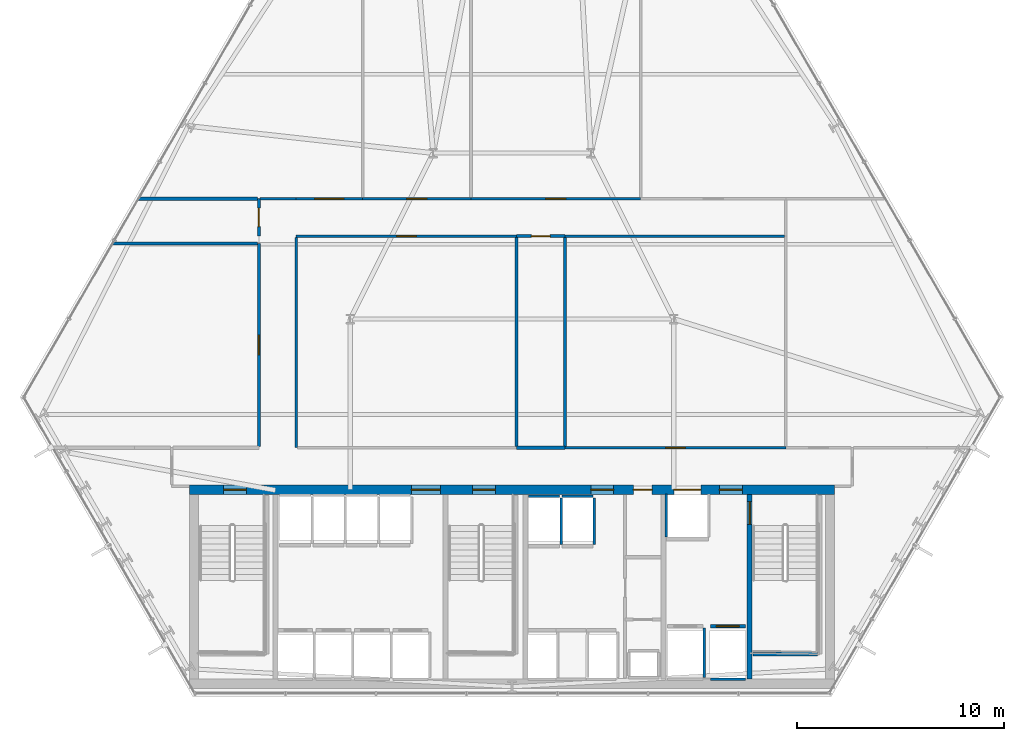
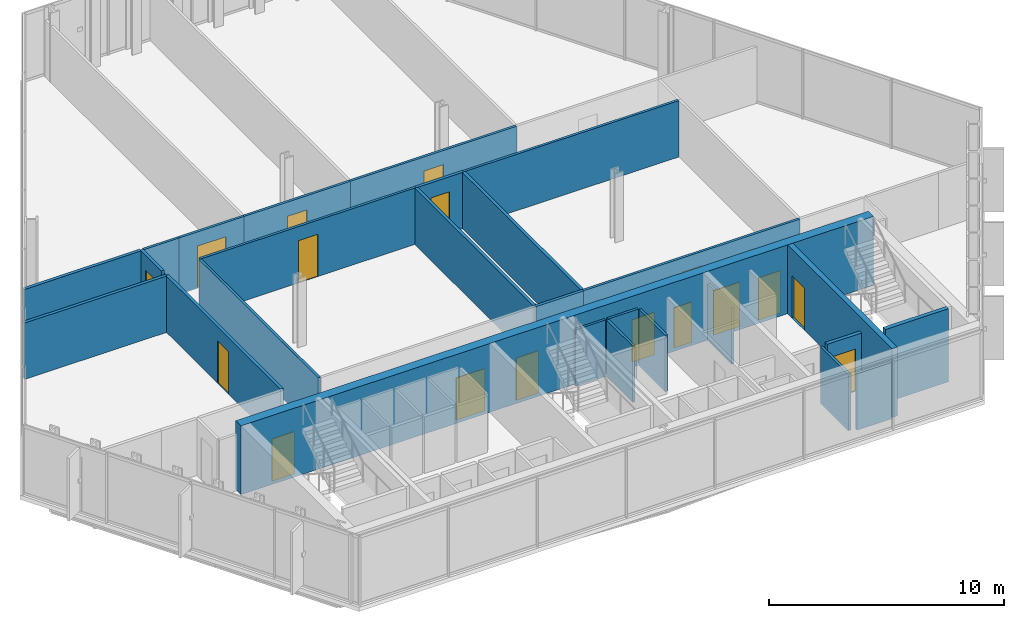
# One storey, part 28 of 33: 27 walls, 17 doors, 17 openings.
"""IFC4 building model written with IfcOpenShell, lengths in metres."""

from ifc_helpers import new_model, si_unit, direction, frame, frame_2d, origin, place, context, subcontext, project, spatial, rectangle, extrude, material, layer, layer_set, type_object, element, fill, save


model = new_model("IFC4")

# Units and contexts
model_context = context("Model", 3, precision=1e-05, world=origin(), true_north=direction((0.0, 1.0)))
body_context = subcontext(model_context, "Body", "Model", "MODEL_VIEW")
ifc_project = project(units=[si_unit("LENGTHUNIT", "METRE"), si_unit("AREAUNIT", "SQUARE_METRE"), si_unit("VOLUMEUNIT", "CUBIC_METRE"), si_unit("PLANEANGLEUNIT", "RADIAN"), si_unit("MASSUNIT", "GRAM", prefix="KILO")], contexts=[model_context])

# Site, building, storey
site_placement = place(None, origin())
site = spatial("IfcSite", under=ifc_project, at=site_placement, CompositionType="ELEMENT")
building_placement = place(site_placement, origin())
building = spatial("IfcBuilding", under=site, at=building_placement, Name="Ndaravel Arena Tower", CompositionType="ELEMENT")
storey_placement = place(building_placement, frame((0.0, 0.0, 39.800048828125)))
storey = spatial("IfcBuildingStorey", under=building, at=storey_placement, Name="L07", CompositionType="ELEMENT", Elevation=39.800048828125)

# Wall, opening, door
ifc_material_1 = material(Name="Concrete C60/75", Category="concrete")
ifc_layer_1 = layer(ifc_material_1, 0.25)
ifc_layer_set_1 = layer_set([ifc_layer_1], Name="Concrete C60/75")
wall_type_1 = type_object("IfcWallType", Name="WALL-CORE-250", PredefinedType="SOLIDWALL", material=ifc_layer_set_1)
wall_1_placement = place(storey_placement, frame((53.449951171875, 5.85009765625, 0.0), z_axis=(0.0, 0.0, 1.0), x_axis=(0.0, 1.0, 0.0)))
wall_1 = element("IfcWall", 1, at=wall_1_placement, inside=storey, type_object=wall_type_1, Name="L07 Core Web Shear Wall 5", PredefinedType="SOLIDWALL", context=body_context, shape_type="SweptSolid", body=[
    extrude(rectangle(XDim=8.89990234375, YDim=0.25, at=frame_2d((4.449951171875, 0.0))), origin(), (0.0, 0.0, 1.0), 3.579833984375),
])
opening_1_placement = place(wall_1_placement, frame((7.449951171875, 0.0, 0.0)))
opening_1 = element("IfcOpeningElement", 2, at=opening_1_placement, cuts=wall_1, Name="Opening FD-01", PredefinedType="OPENING", context=body_context, shape_type="SweptSolid", body=[
    extrude(rectangle(XDim=1.10009765625, YDim=2.199951171875, at=frame_2d((0.550048828125, 1.10009765625))), frame((0.0, 0.125, 0.0), z_axis=(0.0, -1.0, 0.0), x_axis=(1.0, 0.0, 0.0)), (0.0, 0.0, 1.0), 0.25),
])
ifc_material_2 = material(Name="Steel S355", Category="steel")
door_type_1 = type_object("IfcDoorType", Name="DT-01-STAIR-1100", OperationType="SINGLE_SWING_LEFT", PredefinedType="DOOR", material=ifc_material_2)
door_1_placement = place(opening_1_placement, origin())
door_1 = element("IfcDoor", 3, at=door_1_placement, inside=storey, type_object=door_type_1, Name="L07 Firefighting Lobby to ST-3 Door", OperationType="SINGLE_SWING_LEFT", OverallHeight=2.199951171875, OverallWidth=1.10009765625, PredefinedType="DOOR", context=body_context, shape_type="SweptSolid", body=[
    extrude(rectangle(XDim=1.10009765625, YDim=2.199951171875, at=frame_2d((0.550048828125, 1.10009765625))), frame((0.0, 0.02490234375, 0.0), z_axis=(0.0, -1.0, 0.0), x_axis=(1.0, 0.0, 0.0)), (0.0, 0.0, 1.0), 0.050048828125),
])
fill(opening_1, door_1)

# Wall, openings, doors
ifc_material_3 = material(Name="Concrete C60/75", Category="concrete")
ifc_layer_2 = layer(ifc_material_3, 0.449951171875)
ifc_layer_set_2 = layer_set([ifc_layer_2], Name="Concrete C60/75")
wall_type_2 = type_object("IfcWallType", Name="WALL-CORE-450", PredefinedType="SOLIDWALL", material=ifc_layer_set_2)
wall_2_placement = place(storey_placement, frame((26.449951171875, 14.97509765625, 0.0), z_axis=(0.0, 0.0, 1.0), x_axis=(1.0, 0.0, 0.0)))
wall_2 = element("IfcWall", 4, at=wall_2_placement, inside=storey, type_object=wall_type_2, Name="L07 Core North Shear Wall", PredefinedType="SOLIDWALL", context=body_context, shape_type="SweptSolid", body=[
    extrude(rectangle(XDim=31.10009765625, YDim=0.449951171875, at=frame_2d((15.550048828125, 0.0))), origin(), (0.0, 0.0, 1.0), 3.579833984375),
])
opening_2_placement = place(wall_2_placement, frame((1.64990234375, 0.0, 0.0)))
opening_2 = element("IfcOpeningElement", 5, at=opening_2_placement, cuts=wall_2, Name="Opening FD-01", PredefinedType="OPENING", context=body_context, shape_type="SweptSolid", body=[
    extrude(rectangle(XDim=1.10009765625, YDim=2.199951171875, at=frame_2d((0.550048828125, 1.10009765625))), frame((0.0, 0.22509765625, 0.0), z_axis=(0.0, -1.0, 0.0), x_axis=(1.0, 0.0, 0.0)), (0.0, 0.0, 1.0), 0.449951171875),
])
opening_3_placement = place(wall_2_placement, frame((13.64990234375, 0.0, 0.0)))
opening_3 = element("IfcOpeningElement", 6, at=opening_3_placement, cuts=wall_2, Name="Opening FD-01", PredefinedType="OPENING", context=body_context, shape_type="SweptSolid", body=[
    extrude(rectangle(XDim=1.10009765625, YDim=2.199951171875, at=frame_2d((0.550048828125, 1.10009765625))), frame((0.0, 0.22509765625, 0.0), z_axis=(0.0, -1.0, 0.0), x_axis=(1.0, 0.0, 0.0)), (0.0, 0.0, 1.0), 0.449951171875),
])
opening_4_placement = place(wall_2_placement, frame((25.550048828125, 0.0, 0.0)))
opening_4 = element("IfcOpeningElement", 7, at=opening_4_placement, cuts=wall_2, Name="Opening FD-01", PredefinedType="OPENING", context=body_context, shape_type="SweptSolid", body=[
    extrude(rectangle(XDim=1.10009765625, YDim=2.199951171875, at=frame_2d((0.550048828125, 1.10009765625))), frame((0.0, 0.22509765625, 0.0), z_axis=(0.0, -1.0, 0.0), x_axis=(1.0, 0.0, 0.0)), (0.0, 0.0, 1.0), 0.449951171875),
])
opening_5_placement = place(wall_2_placement, frame((10.699951171875, 0.0, 0.0)))
opening_5 = element("IfcOpeningElement", 8, at=opening_5_placement, cuts=wall_2, Name="Opening ID-02", PredefinedType="OPENING", context=body_context, shape_type="SweptSolid", body=[
    extrude(rectangle(XDim=1.39990234375, YDim=2.199951171875, at=frame_2d((0.699951171875, 1.10009765625))), frame((0.0, 0.22509765625, 0.0), z_axis=(0.0, -1.0, 0.0), x_axis=(1.0, 0.0, 0.0)), (0.0, 0.0, 1.0), 0.449951171875),
])
opening_6_placement = place(wall_2_placement, frame((19.35009765625, 0.0, 0.0)))
opening_6 = element("IfcOpeningElement", 9, at=opening_6_placement, cuts=wall_2, Name="Opening FD-01", PredefinedType="OPENING", context=body_context, shape_type="SweptSolid", body=[
    extrude(rectangle(XDim=1.10009765625, YDim=2.199951171875, at=frame_2d((0.550048828125, 1.10009765625))), frame((0.0, 0.22509765625, 0.0), z_axis=(0.0, -1.0, 0.0), x_axis=(1.0, 0.0, 0.0)), (0.0, 0.0, 1.0), 0.449951171875),
])
opening_7_placement = place(wall_2_placement, frame((21.39990234375, 0.0, 0.0)))
opening_7 = element("IfcOpeningElement", 10, at=opening_7_placement, cuts=wall_2, Name="Opening RD-01", PredefinedType="OPENING", context=body_context, shape_type="SweptSolid", body=[
    extrude(rectangle(XDim=0.89990234375, YDim=2.10009765625, at=frame_2d((0.449951171875, 1.050048828125))), frame((0.0, 0.22509765625, 0.0), z_axis=(0.0, -1.0, 0.0), x_axis=(1.0, 0.0, 0.0)), (0.0, 0.0, 1.0), 0.449951171875),
])
opening_8_placement = place(wall_2_placement, frame((23.35009765625, 0.0, 0.0)))
opening_8 = element("IfcOpeningElement", 11, at=opening_8_placement, cuts=wall_2, Name="Opening LD-02", PredefinedType="OPENING", context=body_context, shape_type="SweptSolid", body=[
    extrude(rectangle(XDim=1.300048828125, YDim=2.300048828125, at=frame_2d((0.64990234375, 1.14990234375))), frame((0.0, 0.22509765625, 0.0), z_axis=(0.0, -1.0, 0.0), x_axis=(1.0, 0.0, 0.0)), (0.0, 0.0, 1.0), 0.449951171875),
])
door_2_placement = place(opening_2_placement, origin())
door_2 = element("IfcDoor", 12, at=door_2_placement, inside=storey, type_object=door_type_1, Name="L07 Exit Stair ST-1 Door", OperationType="SINGLE_SWING_RIGHT", OverallHeight=2.199951171875, OverallWidth=1.10009765625, PredefinedType="DOOR", context=body_context, shape_type="SweptSolid", body=[
    extrude(rectangle(XDim=1.10009765625, YDim=2.199951171875, at=frame_2d((0.550048828125, 1.10009765625))), frame((0.0, 0.02490234375, 0.0), z_axis=(0.0, -1.0, 0.0), x_axis=(1.0, 0.0, 0.0)), (0.0, 0.0, 1.0), 0.050048828125),
])
fill(opening_2, door_2)
door_3_placement = place(opening_3_placement, origin())
door_3 = element("IfcDoor", 13, at=door_3_placement, inside=storey, type_object=door_type_1, Name="L07 Exit Stair ST-2 Door", OperationType="SINGLE_SWING_LEFT", OverallHeight=2.199951171875, OverallWidth=1.10009765625, PredefinedType="DOOR", context=body_context, shape_type="SweptSolid", body=[
    extrude(rectangle(XDim=1.10009765625, YDim=2.199951171875, at=frame_2d((0.550048828125, 1.10009765625))), frame((0.0, 0.02490234375, 0.0), z_axis=(0.0, -1.0, 0.0), x_axis=(1.0, 0.0, 0.0)), (0.0, 0.0, 1.0), 0.050048828125),
])
fill(opening_3, door_3)
door_4_placement = place(opening_4_placement, origin())
door_4 = element("IfcDoor", 14, at=door_4_placement, inside=storey, type_object=door_type_1, Name="L07 Firefighting Lift Lobby Door", OperationType="SINGLE_SWING_RIGHT", OverallHeight=2.199951171875, OverallWidth=1.10009765625, PredefinedType="DOOR", context=body_context, shape_type="SweptSolid", body=[
    extrude(rectangle(XDim=1.10009765625, YDim=2.199951171875, at=frame_2d((0.550048828125, 1.10009765625))), frame((0.0, 0.02490234375, 0.0), z_axis=(0.0, -1.0, 0.0), x_axis=(1.0, 0.0, 0.0)), (0.0, 0.0, 1.0), 0.050048828125),
])
fill(opening_4, door_4)
door_5_placement = place(opening_6_placement, origin())
door_5 = element("IfcDoor", 15, at=door_5_placement, inside=storey, type_object=door_type_1, Name="L07 Express Lift Lobby Entry Door", OperationType="SINGLE_SWING_LEFT", OverallHeight=2.199951171875, OverallWidth=1.10009765625, PredefinedType="DOOR", context=body_context, shape_type="SweptSolid", body=[
    extrude(rectangle(XDim=1.10009765625, YDim=2.199951171875, at=frame_2d((0.550048828125, 1.10009765625))), frame((0.0, 0.02490234375, 0.0), z_axis=(0.0, -1.0, 0.0), x_axis=(1.0, 0.0, 0.0)), (0.0, 0.0, 1.0), 0.050048828125),
])
fill(opening_6, door_5)
ifc_material_4 = material(Name="Timber", Category="wood")
door_type_2 = type_object("IfcDoorType", Name="DT-04-SUITE-1400", OperationType="DOUBLE_DOOR_SINGLE_SWING", PredefinedType="DOOR", material=ifc_material_4)
door_6_placement = place(opening_5_placement, origin())
door_6 = element("IfcDoor", 16, at=door_6_placement, inside=storey, type_object=door_type_2, Name="L07 West Lift Lobby Entry Door", OperationType="DOUBLE_DOOR_SINGLE_SWING", OverallHeight=2.199951171875, OverallWidth=1.39990234375, PredefinedType="DOOR", context=body_context, shape_type="SweptSolid", body=[
    extrude(rectangle(XDim=1.39990234375, YDim=2.199951171875, at=frame_2d((0.699951171875, 1.10009765625))), frame((0.0, 0.02490234375, 0.0), z_axis=(0.0, -1.0, 0.0), x_axis=(1.0, 0.0, 0.0)), (0.0, 0.0, 1.0), 0.050048828125),
])
fill(opening_5, door_6)
ifc_material_5 = material(Name="Steel S355", Category="steel")
door_type_3 = type_object("IfcDoorType", Name="DT-07-SVLIFT-1300", OperationType="DOUBLE_DOOR_SLIDING", PredefinedType="DOOR", material=ifc_material_5)
door_7_placement = place(opening_8_placement, origin())
door_7 = element("IfcDoor", 17, at=door_7_placement, inside=storey, type_object=door_type_3, Name="L07 Lift SVL-1 Sliding Landing Door", OperationType="DOUBLE_DOOR_SLIDING", OverallHeight=2.300048828125, OverallWidth=1.300048828125, PredefinedType="DOOR", context=body_context, shape_type="SweptSolid", body=[
    extrude(rectangle(XDim=1.300048828125, YDim=2.300048828125, at=frame_2d((0.64990234375, 1.14990234375))), frame((0.0, 0.02490234375, 0.0), z_axis=(0.0, -1.0, 0.0), x_axis=(1.0, 0.0, 0.0)), (0.0, 0.0, 1.0), 0.050048828125),
])
fill(opening_8, door_7)
ifc_material_6 = material(Name="Steel S355", Category="steel")
door_type_4 = type_object("IfcDoorType", Name="DT-08-RISER-900", OperationType="SINGLE_SWING_LEFT", PredefinedType="DOOR", material=ifc_material_6)
door_8_placement = place(opening_7_placement, origin())
door_8 = element("IfcDoor", 18, at=door_8_placement, inside=storey, type_object=door_type_4, Name="L07 Core Service Riser North Door", OperationType="SINGLE_SWING_LEFT", OverallHeight=2.10009765625, OverallWidth=0.89990234375, PredefinedType="DOOR", context=body_context, shape_type="SweptSolid", body=[
    extrude(rectangle(XDim=0.89990234375, YDim=2.10009765625, at=frame_2d((0.449951171875, 1.050048828125))), frame((0.0, 0.02490234375, 0.0), z_axis=(0.0, -1.0, 0.0), x_axis=(1.0, 0.0, 0.0)), (0.0, 0.0, 1.0), 0.050048828125),
])
fill(opening_7, door_8)

# Wall
ifc_material_7 = material(Name="Gypsum", Category="gypsum")
ifc_layer_3 = layer(ifc_material_7, 0.125)
ifc_layer_set_3 = layer_set([ifc_layer_3], Name="Gypsum")
wall_type_3 = type_object("IfcWallType", Name="WALL-PART-125", PredefinedType="PARTITIONING", material=ifc_layer_set_3)
wall_3_placement = place(storey_placement, frame((29.864990234375, 29.0, 0.0), z_axis=(0.0, 0.0, 1.0), x_axis=(1.0, 0.0, 0.0)))
element("IfcWall", 19, at=wall_3_placement, inside=storey, type_object=wall_type_3, Name="L07 Interior Partition 008", PredefinedType="PARTITIONING", context=body_context, shape_type="SweptSolid", body=[
    extrude(rectangle(XDim=1.735107421875, YDim=0.125, at=frame_2d((0.86767578125, 0.0))), origin(), (0.0, 0.0, 1.0), 2.932861328125),
])

# Wall, opening, door
wall_4_placement = place(storey_placement, frame((31.60009765625, 29.0, 0.0), z_axis=(0.0, 0.0, 1.0), x_axis=(1.0, 0.0, 0.0)))
wall_4 = element("IfcWall", 20, at=wall_4_placement, inside=storey, type_object=wall_type_3, Name="L07 Interior Partition 009", PredefinedType="PARTITIONING", context=body_context, shape_type="SweptSolid", body=[
    extrude(rectangle(XDim=3.199951171875, YDim=0.125, at=frame_2d((1.60009765625, 0.0))), origin(), (0.0, 0.0, 1.0), 2.932861328125),
])
opening_9_placement = place(wall_4_placement, frame((0.89990234375, 0.0, 0.0)))
opening_9 = element("IfcOpeningElement", 21, at=opening_9_placement, cuts=wall_4, Name="Opening ID-02", PredefinedType="OPENING", context=body_context, shape_type="SweptSolid", body=[
    extrude(rectangle(XDim=1.39990234375, YDim=2.199951171875, at=frame_2d((0.699951171875, 1.10009765625))), frame((0.0, 0.0625, 0.0), z_axis=(0.0, -1.0, 0.0), x_axis=(1.0, 0.0, 0.0)), (0.0, 0.0, 1.0), 0.125),
])
door_9_placement = place(opening_9_placement, origin())
door_9 = element("IfcDoor", 22, at=door_9_placement, inside=storey, type_object=door_type_2, Name="L07 Client Conference Room 2 Door", OperationType="SINGLE_SWING_RIGHT", OverallHeight=2.199951171875, OverallWidth=1.39990234375, PredefinedType="DOOR", context=body_context, shape_type="SweptSolid", body=[
    extrude(rectangle(XDim=1.39990234375, YDim=2.199951171875, at=frame_2d((0.699951171875, 1.10009765625))), frame((0.0, 0.02490234375, 0.0), z_axis=(0.0, -1.0, 0.0), x_axis=(1.0, 0.0, 0.0)), (0.0, 0.0, 1.0), 0.050048828125),
])
fill(opening_9, door_9)

wall_5_placement = place(storey_placement, frame((34.800048828125, 29.0, 0.0), z_axis=(0.0, 0.0, 1.0), x_axis=(1.0, 0.0, 0.0)))
wall_5 = element("IfcWall", 23, at=wall_5_placement, inside=storey, type_object=wall_type_3, Name="L07 Interior Partition 010", PredefinedType="PARTITIONING", context=body_context, shape_type="SweptSolid", body=[
    extrude(rectangle(XDim=5.225830078125, YDim=0.125, at=frame_2d((2.61279296875, 0.0))), origin(), (0.0, 0.0, 1.0), 2.932861328125),
])
opening_10_placement = place(wall_5_placement, frame((2.137939453125, 0.0, 0.0)))
opening_10 = element("IfcOpeningElement", 24, at=opening_10_placement, cuts=wall_5, Name="Opening ID-01", PredefinedType="OPENING", context=body_context, shape_type="SweptSolid", body=[
    extrude(rectangle(XDim=0.949951171875, YDim=2.199951171875, at=frame_2d((0.47509765625, 1.10009765625))), frame((0.0, 0.0625, 0.0), z_axis=(0.0, -1.0, 0.0), x_axis=(1.0, 0.0, 0.0)), (0.0, 0.0, 1.0), 0.125),
])
ifc_material_8 = material(Name="Timber", Category="wood")
door_type_5 = type_object("IfcDoorType", Name="DT-03-OFFICE-950", OperationType="SINGLE_SWING_LEFT", PredefinedType="DOOR", material=ifc_material_8)
door_10_placement = place(opening_10_placement, origin())
door_10 = element("IfcDoor", 25, at=door_10_placement, inside=storey, type_object=door_type_5, Name="L07 Training Classroom 4 Door", OperationType="SINGLE_SWING_LEFT", OverallHeight=2.199951171875, OverallWidth=0.949951171875, PredefinedType="DOOR", context=body_context, shape_type="SweptSolid", body=[
    extrude(rectangle(XDim=0.949951171875, YDim=2.199951171875, at=frame_2d((0.47509765625, 1.10009765625))), frame((0.0, 0.02490234375, 0.0), z_axis=(0.0, -1.0, 0.0), x_axis=(1.0, 0.0, 0.0)), (0.0, 0.0, 1.0), 0.050048828125),
])
fill(opening_10, door_10)

wall_6_placement = place(storey_placement, frame((40.02587890625, 29.0, 0.0), z_axis=(0.0, 0.0, 1.0), x_axis=(1.0, 0.0, 0.0)))
wall_6 = element("IfcWall", 26, at=wall_6_placement, inside=storey, type_object=wall_type_3, Name="L07 Interior Partition 011", PredefinedType="PARTITIONING", context=body_context, shape_type="SweptSolid", body=[
    extrude(rectangle(XDim=8.174072265625, YDim=0.125, at=frame_2d((4.0869140625, 0.0))), origin(), (0.0, 0.0, 1.0), 2.932861328125),
])
opening_11_placement = place(wall_6_placement, frame((3.612060546875, 0.0, 0.0)))
opening_11 = element("IfcOpeningElement", 27, at=opening_11_placement, cuts=wall_6, Name="Opening ID-01", PredefinedType="OPENING", context=body_context, shape_type="SweptSolid", body=[
    extrude(rectangle(XDim=0.949951171875, YDim=2.199951171875, at=frame_2d((0.47509765625, 1.10009765625))), frame((0.0, 0.0625, 0.0), z_axis=(0.0, -1.0, 0.0), x_axis=(1.0, 0.0, 0.0)), (0.0, 0.0, 1.0), 0.125),
])
door_11_placement = place(opening_11_placement, origin())
door_11 = element("IfcDoor", 28, at=door_11_placement, inside=storey, type_object=door_type_5, Name="L07 Executive Corner Office 4 Door", OperationType="SINGLE_SWING_RIGHT", OverallHeight=2.199951171875, OverallWidth=0.949951171875, PredefinedType="DOOR", context=body_context, shape_type="SweptSolid", body=[
    extrude(rectangle(XDim=0.949951171875, YDim=2.199951171875, at=frame_2d((0.47509765625, 1.10009765625))), frame((0.0, 0.02490234375, 0.0), z_axis=(0.0, -1.0, 0.0), x_axis=(1.0, 0.0, 0.0)), (0.0, 0.0, 1.0), 0.050048828125),
])
fill(opening_11, door_11)

# Wall
wall_7_placement = place(storey_placement, frame((55.135009765625, 27.199951171875, 0.0), z_axis=(0.0, 0.0, 1.0), x_axis=(-1.0, 0.0, 0.0)))
element("IfcWall", 29, at=wall_7_placement, inside=storey, type_object=wall_type_3, Name="L07 Interior Partition 014", PredefinedType="PARTITIONING", context=body_context, shape_type="SweptSolid", body=[
    extrude(rectangle(XDim=10.57861328125, YDim=0.125, at=frame_2d((5.289306640625, 0.0))), origin(), (0.0, 0.0, 1.0), 2.932861328125),
])

# Wall, opening, door
wall_8_placement = place(storey_placement, frame((42.219970703125, 27.199951171875, 0.0), z_axis=(0.0, 0.0, 1.0), x_axis=(-1.0, 0.0, 0.0)))
wall_8 = element("IfcWall", 30, at=wall_8_placement, inside=storey, type_object=wall_type_3, Name="L07 Interior Partition 016", PredefinedType="PARTITIONING", context=body_context, shape_type="SweptSolid", body=[
    extrude(rectangle(XDim=10.619873046875, YDim=0.125, at=frame_2d((5.31005859375, 0.0))), origin(), (0.0, 0.0, 1.0), 2.932861328125),
])
opening_12_placement = place(wall_8_placement, frame((4.8349609375, 0.0, 0.0)))
opening_12 = element("IfcOpeningElement", 31, at=opening_12_placement, cuts=wall_8, Name="Opening ID-01", PredefinedType="OPENING", context=body_context, shape_type="SweptSolid", body=[
    extrude(rectangle(XDim=0.949951171875, YDim=2.199951171875, at=frame_2d((0.47509765625, 1.10009765625))), frame((0.0, 0.0625, 0.0), z_axis=(0.0, -1.0, 0.0), x_axis=(1.0, 0.0, 0.0)), (0.0, 0.0, 1.0), 0.125),
])
door_12_placement = place(opening_12_placement, origin())
door_12 = element("IfcDoor", 32, at=door_12_placement, inside=storey, type_object=door_type_5, Name="L07 Staff Wellness Clinic Door", OperationType="SINGLE_SWING_LEFT", OverallHeight=2.199951171875, OverallWidth=0.949951171875, PredefinedType="DOOR", context=body_context, shape_type="SweptSolid", body=[
    extrude(rectangle(XDim=0.949951171875, YDim=2.199951171875, at=frame_2d((0.47509765625, 1.10009765625))), frame((0.0, 0.02490234375, 0.0), z_axis=(0.0, -1.0, 0.0), x_axis=(1.0, 0.0, 0.0)), (0.0, 0.0, 1.0), 0.050048828125),
])
fill(opening_12, door_12)

# Wall
wall_9_placement = place(storey_placement, frame((31.60009765625, 27.135009765625, 0.0), z_axis=(0.0, 0.0, 1.0), x_axis=(0.0, -1.0, 0.0)))
element("IfcWall", 33, at=wall_9_placement, inside=storey, type_object=wall_type_3, Name="L07 Interior Partition 017", PredefinedType="PARTITIONING", context=body_context, shape_type="SweptSolid", body=[
    extrude(rectangle(XDim=10.135009765625, YDim=0.125, at=frame_2d((5.0673828125, 0.0))), origin(), (0.0, 0.0, 1.0), 2.932861328125),
])

# Wall, opening, door
wall_10_placement = place(storey_placement, frame((44.556396484375, 17.0, 0.0), z_axis=(0.0, 0.0, 1.0), x_axis=(1.0, 0.0, 0.0)))
wall_10 = element("IfcWall", 34, at=wall_10_placement, inside=storey, type_object=wall_type_3, Name="L07 Interior Partition 020", PredefinedType="PARTITIONING", context=body_context, shape_type="SweptSolid", body=[
    extrude(rectangle(XDim=10.6435546875, YDim=0.125, at=frame_2d((5.32177734375, 0.0))), origin(), (0.0, 0.0, 1.0), 2.932861328125),
])
opening_13_placement = place(wall_10_placement, frame((4.8466796875, 0.0, 0.0)))
opening_13 = element("IfcOpeningElement", 35, at=opening_13_placement, cuts=wall_10, Name="Opening ID-01", PredefinedType="OPENING", context=body_context, shape_type="SweptSolid", body=[
    extrude(rectangle(XDim=0.949951171875, YDim=2.199951171875, at=frame_2d((0.47509765625, 1.10009765625))), frame((0.0, 0.0625, 0.0), z_axis=(0.0, -1.0, 0.0), x_axis=(1.0, 0.0, 0.0)), (0.0, 0.0, 1.0), 0.125),
])
door_13_placement = place(opening_13_placement, origin())
door_13 = element("IfcDoor", 36, at=door_13_placement, inside=storey, type_object=door_type_5, Name="L07 Cellular Partner Office 2 Door", OperationType="SINGLE_SWING_LEFT", OverallHeight=2.199951171875, OverallWidth=0.949951171875, PredefinedType="DOOR", context=body_context, shape_type="SweptSolid", body=[
    extrude(rectangle(XDim=0.949951171875, YDim=2.199951171875, at=frame_2d((0.47509765625, 1.10009765625))), frame((0.0, 0.02490234375, 0.0), z_axis=(0.0, -1.0, 0.0), x_axis=(1.0, 0.0, 0.0)), (0.0, 0.0, 1.0), 0.050048828125),
])
fill(opening_13, door_13)

# Walls
ifc_material_9 = material(Name="Concrete C40/50", Category="concrete")
ifc_layer_4 = layer(ifc_material_9, 0.1201171875)
ifc_layer_set_4 = layer_set([ifc_layer_4], Name="Concrete C40/50")
wall_type_4 = type_object("IfcWallType", Name="WALL-SHAFT-120", PredefinedType="SOLIDWALL", material=ifc_layer_set_4)
wall_11_placement = place(storey_placement, frame((42.804931640625, 14.659912109375, 0.0), z_axis=(0.0, 0.0, 1.0), x_axis=(1.0, 0.0, 0.0)))
element("IfcWall", 37, at=wall_11_placement, inside=storey, type_object=wall_type_4, Name="L07 PL-OBS1 Shaft Rear Wall", PredefinedType="SOLIDWALL", context=body_context, shape_type="SweptSolid", body=[
    extrude(rectangle(XDim=1.489990234375, YDim=0.1201171875, at=frame_2d((0.7451171875, 0.0))), origin(), (0.0, 0.0, 1.0), 2.932861328125),
])
wall_12_placement = place(storey_placement, frame((44.375, 12.340087890625, 0.0), z_axis=(0.0, 0.0, 1.0), x_axis=(0.0, 1.0, 0.0)))
element("IfcWall", 38, at=wall_12_placement, inside=storey, type_object=wall_type_4, Name="L07 PL-OBS1 Shaft Side R Wall", PredefinedType="SOLIDWALL", context=body_context, shape_type="SweptSolid", body=[
    extrude(rectangle(XDim=2.22998046875, YDim=0.1201171875, at=frame_2d((1.114990234375, 0.0))), origin(), (0.0, 0.0, 1.0), 2.932861328125),
])
wall_13_placement = place(storey_placement, frame((44.405029296875, 14.659912109375, 0.0), z_axis=(0.0, 0.0, 1.0), x_axis=(1.0, 0.0, 0.0)))
element("IfcWall", 39, at=wall_13_placement, inside=storey, type_object=wall_type_4, Name="L07 PL-OBS2 Shaft Rear Wall", PredefinedType="SOLIDWALL", context=body_context, shape_type="SweptSolid", body=[
    extrude(rectangle(XDim=1.489990234375, YDim=0.1201171875, at=frame_2d((0.7451171875, 0.0))), origin(), (0.0, 0.0, 1.0), 2.932861328125),
])
wall_14_placement = place(storey_placement, frame((45.97509765625, 12.340087890625, 0.0), z_axis=(0.0, 0.0, 1.0), x_axis=(0.0, 1.0, 0.0)))
element("IfcWall", 40, at=wall_14_placement, inside=storey, type_object=wall_type_4, Name="L07 PL-OBS2 Shaft Side R Wall", PredefinedType="SOLIDWALL", context=body_context, shape_type="SweptSolid", body=[
    extrude(rectangle(XDim=2.22998046875, YDim=0.1201171875, at=frame_2d((1.114990234375, 0.0))), origin(), (0.0, 0.0, 1.0), 2.932861328125),
])
wall_15_placement = place(storey_placement, frame((51.27490234375, 5.929931640625, 0.0), z_axis=(0.0, 0.0, 1.0), x_axis=(0.0, 1.0, 0.0)))
element("IfcWall", 41, at=wall_15_placement, inside=storey, type_object=wall_type_4, Name="L07 FFL-1 Shaft Side R Wall", PredefinedType="SOLIDWALL", context=body_context, shape_type="SweptSolid", body=[
    extrude(rectangle(XDim=2.380126953125, YDim=0.1201171875, at=frame_2d((1.18994140625, 0.0))), origin(), (0.0, 0.0, 1.0), 2.932861328125),
])
wall_16_placement = place(storey_placement, frame((51.554931640625, 5.840087890625, 0.0), z_axis=(0.0, 0.0, 1.0), x_axis=(1.0, 0.0, 0.0)))
element("IfcWall", 42, at=wall_16_placement, inside=storey, type_object=wall_type_4, Name="L07 FFL-2 Shaft Rear Wall", PredefinedType="SOLIDWALL", context=body_context, shape_type="SweptSolid", body=[
    extrude(rectangle(XDim=1.690185546875, YDim=0.1201171875, at=frame_2d((0.84521484375, 0.0))), origin(), (0.0, 0.0, 1.0), 2.932861328125),
])
wall_17_placement = place(storey_placement, frame((49.43994140625, 12.68994140625, 0.0), z_axis=(0.0, 0.0, 1.0), x_axis=(0.0, 1.0, 0.0)))
element("IfcWall", 43, at=wall_17_placement, inside=storey, type_object=wall_type_4, Name="L07 SVL-1 Shaft W Wall", PredefinedType="SOLIDWALL", context=body_context, shape_type="SweptSolid", body=[
    extrude(rectangle(XDim=2.070068359375, YDim=0.1201171875, at=frame_2d((1.03515625, 0.0))), origin(), (0.0, 0.0, 1.0), 2.932861328125),
])
ifc_material_10 = material(Name="Concrete C40/50", Category="concrete")
ifc_layer_5 = layer(ifc_material_10, 0.199951171875)
ifc_layer_set_5 = layer_set([ifc_layer_5], Name="Concrete C40/50")
wall_type_5 = type_object("IfcWallType", Name="WALL-SHAFT-200", PredefinedType="SOLIDWALL", material=ifc_layer_set_5)
wall_18_placement = place(storey_placement, frame((53.6201171875, 7.050048828125, 0.0), z_axis=(0.0, 0.0, 1.0), x_axis=(1.0, 0.0, 0.0)))
element("IfcWall", 44, at=wall_18_placement, inside=storey, type_object=wall_type_5, Name="L07 ST-3 Structural Shaft Wall Far", PredefinedType="SOLIDWALL", context=body_context, shape_type="SweptSolid", body=[
    extrude(rectangle(XDim=3.114990234375, YDim=0.199951171875, at=frame_2d((1.5576171875, 0.0))), origin(), (0.0, 0.0, 1.0), 3.800048828125),
])

# Wall, opening, door
wall_19_placement = place(storey_placement, frame((51.554931640625, 8.39990234375, 0.0), z_axis=(0.0, 0.0, 1.0), x_axis=(1.0, 0.0, 0.0)))
wall_19 = element("IfcWall", 45, at=wall_19_placement, inside=storey, type_object=wall_type_5, Name="L07 FFL-2 Shaft Landing Wall", PredefinedType="SOLIDWALL", context=body_context, shape_type="SweptSolid", body=[
    extrude(rectangle(XDim=1.690185546875, YDim=0.179931640625, at=frame_2d((0.84521484375, 0.0))), origin(), (0.0, 0.0, 1.0), 2.932861328125),
])
opening_14_placement = place(wall_19_placement, frame((0.294921875, 0.0, 0.0)))
opening_14 = element("IfcOpeningElement", 46, at=opening_14_placement, cuts=wall_19, Name="Opening LD-01", PredefinedType="OPENING", context=body_context, shape_type="SweptSolid", body=[
    extrude(rectangle(XDim=1.10009765625, YDim=2.199951171875, at=frame_2d((0.550048828125, 1.10009765625))), frame((0.0, 0.08984375, 0.0), z_axis=(0.0, -1.0, 0.0), x_axis=(1.0, 0.0, 0.0)), (0.0, 0.0, 1.0), 0.179931640625),
])
ifc_material_11 = material(Name="Steel S355", Category="steel")
door_type_6 = type_object("IfcDoorType", Name="DT-06-LIFT-1100", OperationType="SLIDING_TO_LEFT", PredefinedType="DOOR", material=ifc_material_11)
door_14_placement = place(opening_14_placement, origin())
door_14 = element("IfcDoor", 47, at=door_14_placement, inside=storey, type_object=door_type_6, Name="L07 Lift FFL-2 Sliding Landing Door", OperationType="SLIDING_TO_LEFT", OverallHeight=2.199951171875, OverallWidth=1.10009765625, PredefinedType="DOOR", context=body_context, shape_type="SweptSolid", body=[
    extrude(rectangle(XDim=1.10009765625, YDim=2.199951171875, at=frame_2d((0.550048828125, 1.10009765625))), frame((0.0, 0.02490234375, 0.0), z_axis=(0.0, -1.0, 0.0), x_axis=(1.0, 0.0, 0.0)), (0.0, 0.0, 1.0), 0.050048828125),
])
fill(opening_14, door_14)

ifc_material_12 = material(Name="Masonry", Category="masonry")
ifc_layer_6 = layer(ifc_material_12, 0.14990234375)
ifc_layer_set_6 = layer_set([ifc_layer_6], Name="Masonry")
wall_type_6 = type_object("IfcWallType", Name="WALL-WET-150", PredefinedType="PARTITIONING", material=ifc_layer_set_6)
wall_20_placement = place(storey_placement, frame((29.800048828125, 17.06494140625, 0.0), z_axis=(0.0, 0.0, 1.0), x_axis=(0.0, 1.0, 0.0)))
wall_20 = element("IfcWall", 48, at=wall_20_placement, inside=storey, type_object=wall_type_6, Name="L07 Interior Partition 006", PredefinedType="PARTITIONING", context=body_context, shape_type="SweptSolid", body=[
    extrude(rectangle(XDim=9.775146484375, YDim=0.14990234375, at=frame_2d((4.8876953125, 0.0))), origin(), (0.0, 0.0, 1.0), 2.932861328125),
])
opening_15_placement = place(wall_20_placement, frame((4.41259765625, 0.0, 0.0)))
opening_15 = element("IfcOpeningElement", 49, at=opening_15_placement, cuts=wall_20, Name="Opening FD-03", PredefinedType="OPENING", context=body_context, shape_type="SweptSolid", body=[
    extrude(rectangle(XDim=0.949951171875, YDim=2.199951171875, at=frame_2d((0.47509765625, 1.10009765625))), frame((0.0, 0.074951171875, 0.0), z_axis=(0.0, -1.0, 0.0), x_axis=(1.0, 0.0, 0.0)), (0.0, 0.0, 1.0), 0.14990234375),
])
ifc_material_13 = material(Name="Steel S355", Category="steel")
door_type_7 = type_object("IfcDoorType", Name="DT-11-CORE-950", OperationType="SINGLE_SWING_LEFT", PredefinedType="DOOR", material=ifc_material_13)
door_15_placement = place(opening_15_placement, origin())
door_15 = element("IfcDoor", 50, at=door_15_placement, inside=storey, type_object=door_type_7, Name="L07 Staff Espresso Kitchen Door", OperationType="SINGLE_SWING_RIGHT", OverallHeight=2.199951171875, OverallWidth=0.949951171875, PredefinedType="DOOR", context=body_context, shape_type="SweptSolid", body=[
    extrude(rectangle(XDim=0.949951171875, YDim=2.199951171875, at=frame_2d((0.47509765625, 1.10009765625))), frame((0.0, 0.02490234375, 0.0), z_axis=(0.0, -1.0, 0.0), x_axis=(1.0, 0.0, 0.0)), (0.0, 0.0, 1.0), 0.050048828125),
])
fill(opening_15, door_15)

wall_21_placement = place(storey_placement, frame((29.800048828125, 27.199951171875, 0.0), z_axis=(0.0, 0.0, 1.0), x_axis=(0.0, 1.0, 0.0)))
wall_21 = element("IfcWall", 51, at=wall_21_placement, inside=storey, type_object=wall_type_6, Name="L07 Interior Partition 007", PredefinedType="PARTITIONING", context=body_context, shape_type="SweptSolid", body=[
    extrude(rectangle(XDim=1.800048828125, YDim=0.14990234375, at=frame_2d((0.89990234375, 0.0))), origin(), (0.0, 0.0, 1.0), 2.932861328125),
])
opening_16_placement = place(wall_21_placement, frame((0.449951171875, 0.0, 0.0)))
opening_16 = element("IfcOpeningElement", 52, at=opening_16_placement, cuts=wall_21, Name="Opening WD-01", PredefinedType="OPENING", context=body_context, shape_type="SweptSolid", body=[
    extrude(rectangle(XDim=0.89990234375, YDim=2.14990234375, at=frame_2d((0.449951171875, 1.074951171875))), frame((0.0, 0.074951171875, 0.0), z_axis=(0.0, -1.0, 0.0), x_axis=(1.0, 0.0, 0.0)), (0.0, 0.0, 1.0), 0.14990234375),
])
ifc_material_14 = material(Name="Timber", Category="wood")
door_type_8 = type_object("IfcDoorType", Name="DT-05-WC-900", OperationType="SINGLE_SWING_LEFT", PredefinedType="DOOR", material=ifc_material_14)
door_16_placement = place(opening_16_placement, origin())
door_16 = element("IfcDoor", 53, at=door_16_placement, inside=storey, type_object=door_type_8, Name="L07 Female & Accessible Restroom Door", OperationType="SINGLE_SWING_LEFT", OverallHeight=2.14990234375, OverallWidth=0.89990234375, PredefinedType="DOOR", context=body_context, shape_type="SweptSolid", body=[
    extrude(rectangle(XDim=0.89990234375, YDim=2.14990234375, at=frame_2d((0.449951171875, 1.074951171875))), frame((0.0, 0.02490234375, 0.0), z_axis=(0.0, -1.0, 0.0), x_axis=(1.0, 0.0, 0.0)), (0.0, 0.0, 1.0), 0.050048828125),
])
fill(opening_16, door_16)

wall_22_placement = place(storey_placement, frame((44.556396484375, 27.199951171875, 0.0), z_axis=(0.0, 0.0, 1.0), x_axis=(-1.0, 0.0, 0.0)))
wall_22 = element("IfcWall", 54, at=wall_22_placement, inside=storey, type_object=wall_type_6, Name="L07 Interior Partition 015", PredefinedType="PARTITIONING", context=body_context, shape_type="SweptSolid", body=[
    extrude(rectangle(XDim=2.33642578125, YDim=0.14990234375, at=frame_2d((1.168212890625, 0.0))), origin(), (0.0, 0.0, 1.0), 2.932861328125),
])
opening_17_placement = place(wall_22_placement, frame((0.71826171875, 0.0, 0.0)))
opening_17 = element("IfcOpeningElement", 55, at=opening_17_placement, cuts=wall_22, Name="Opening WD-01", PredefinedType="OPENING", context=body_context, shape_type="SweptSolid", body=[
    extrude(rectangle(XDim=0.89990234375, YDim=2.14990234375, at=frame_2d((0.449951171875, 1.074951171875))), frame((0.0, 0.074951171875, 0.0), z_axis=(0.0, -1.0, 0.0), x_axis=(1.0, 0.0, 0.0)), (0.0, 0.0, 1.0), 0.14990234375),
])
door_17_placement = place(opening_17_placement, origin())
door_17 = element("IfcDoor", 56, at=door_17_placement, inside=storey, type_object=door_type_8, Name="L07 Male Staff & Visitor Restroom Door", OperationType="SINGLE_SWING_RIGHT", OverallHeight=2.14990234375, OverallWidth=0.89990234375, PredefinedType="DOOR", context=body_context, shape_type="SweptSolid", body=[
    extrude(rectangle(XDim=0.89990234375, YDim=2.14990234375, at=frame_2d((0.449951171875, 1.074951171875))), frame((0.0, 0.02490234375, 0.0), z_axis=(0.0, -1.0, 0.0), x_axis=(1.0, 0.0, 0.0)), (0.0, 0.0, 1.0), 0.050048828125),
])
fill(opening_17, door_17)

# Walls
wall_23_placement = place(storey_placement, frame((42.219970703125, 17.0, 0.0), z_axis=(0.0, 0.0, 1.0), x_axis=(1.0, 0.0, 0.0)))
element("IfcWall", 57, at=wall_23_placement, inside=storey, type_object=wall_type_6, Name="L07 Interior Partition 019", PredefinedType="PARTITIONING", context=body_context, shape_type="SweptSolid", body=[
    extrude(rectangle(XDim=2.33642578125, YDim=0.14990234375, at=frame_2d((1.168212890625, 0.0))), origin(), (0.0, 0.0, 1.0), 2.932861328125),
])
wall_24_placement = place(storey_placement, frame((22.751220703125, 26.840087890625, 0.0), z_axis=(0.0, 0.0, 1.0), x_axis=(1.0, 0.0, 0.0)))
element("IfcWall", 58, at=wall_24_placement, inside=storey, type_object=wall_type_6, Name="L07 Interior Partition 026", PredefinedType="PARTITIONING", context=body_context, shape_type="SweptSolid", body=[
    extrude(rectangle(XDim=6.98388671875, YDim=0.14990234375, at=frame_2d((3.491943359375, 0.0))), origin(), (0.0, 0.0, 1.0), 2.932861328125),
])
for number, where, z_axis, x_axis, name in (
    (59, (42.219970703125, 27.135009765625, 0.0), (0.0, 0.0, 1.0), (0.0, -1.0, 0.0), "L07 Interior Partition 027"),
    (60, (44.556396484375, 27.135009765625, 0.0), (0.0, 0.0, 1.0), (0.0, -1.0, 0.0), "L07 Interior Partition 028"),
):
    element("IfcWall", number, at=place(storey_placement, frame(where, z_axis=z_axis, x_axis=x_axis)), inside=storey, type_object=wall_type_6, Name=name, PredefinedType="PARTITIONING", context=body_context, shape_type="SweptSolid", body=[
        extrude(rectangle(XDim=10.070068359375, YDim=0.14990234375, at=frame_2d((5.03515625, 0.0))), origin(), (0.0, 0.0, 1.0), 2.932861328125),
    ])
wall_25_placement = place(storey_placement, frame((23.998291015625, 29.0, 0.0), z_axis=(0.0, 0.0, 1.0), x_axis=(1.0, 0.0, 0.0)))
element("IfcWall", 61, at=wall_25_placement, inside=storey, type_object=wall_type_6, Name="L07 Interior Partition 031", PredefinedType="PARTITIONING", context=body_context, shape_type="SweptSolid", body=[
    extrude(rectangle(XDim=5.73681640625, YDim=0.14990234375, at=frame_2d((2.868408203125, 0.0))), origin(), (0.0, 0.0, 1.0), 2.932861328125),
])

save(model, "model.ifc")
